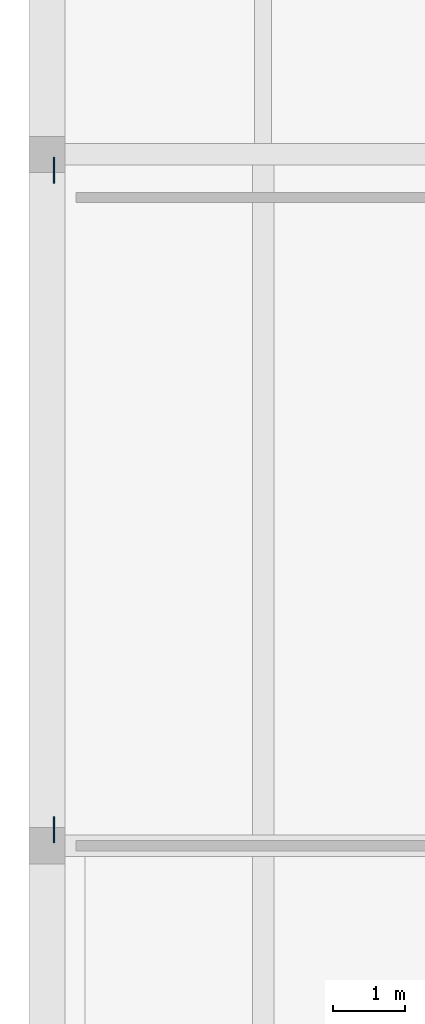
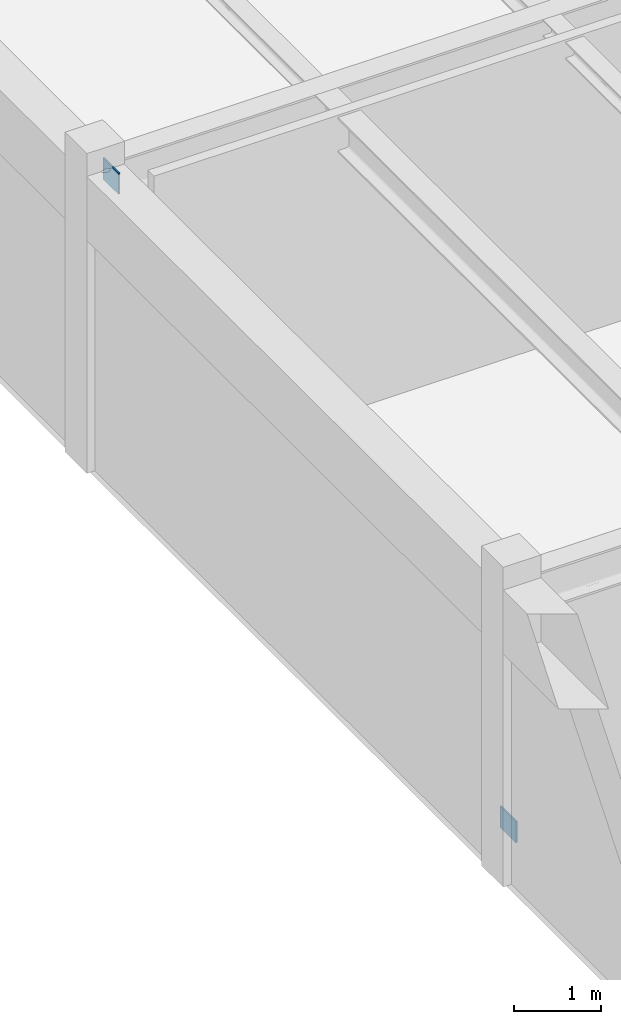
# One storey, part 40 of 64: 2 plates.
"""IFC4 building model written with IfcOpenShell, lengths in metres."""

import ifcopenshell
import ifcopenshell.guid

model = None  # the IFC model being written
_history = None  # IfcOwnerHistory: only IFC2X3 demands one
_inside = {}  # id of a spatial element -> (the spatial element, [elements in it])
_under = {}  # id of a project, library or spatial element -> (it, [spatial elements below it])
_declared = {}  # id of a project -> (the project, [libraries it declares])
_typed = {}  # id of a type object -> (the type object, [elements of that type])
_made_of = {}  # id of a material, layer set ... -> (it, [elements and type objects made of it])


def new_model(schema):
    """Start an empty IFC model of exactly this schema.

    Asked for "IFC4X3", IfcOpenShell would pick the latest addendum, in which some entities
    have other attributes; the version numbers below select the first issue.
    IFC2X3 requires an IfcOwnerHistory on every rooted entity: one is made here for all.
    """
    global model, _history
    if schema == "IFC4X3":
        model = ifcopenshell.file(schema_version=(4, 3, 0, 0))
    else:
        model = ifcopenshell.file(schema=schema)
    _inside.clear()
    _under.clear()
    _declared.clear()
    _typed.clear()
    _made_of.clear()
    _history = None
    if model.schema == "IFC2X3":
        org = make("IfcOrganization", Name="unknown")
        user = make(
            "IfcPersonAndOrganization",
            ThePerson=make("IfcPerson", FamilyName="unknown"),
            TheOrganization=org,
        )
        app = make(
            "IfcApplication",
            ApplicationDeveloper=org,
            Version="unknown",
            ApplicationFullName="unknown",
            ApplicationIdentifier="unknown",
        )
        _history = make(
            "IfcOwnerHistory",
            OwningUser=user,
            OwningApplication=app,
            ChangeAction="ADDED",
            CreationDate=0,
        )
    return model


def make(cls, **values):
    """One entity of the class cls with the attributes given. An attribute that is None is left unset."""
    return model.create_entity(
        cls, **{name: value for name, value in values.items() if value is not None}
    )


def rooted(cls, **values):
    """An entity with a GlobalId (a new one), such as an element, a storey or a relation."""
    return make(cls, GlobalId=ifcopenshell.guid.new(), OwnerHistory=_history, **values)


def si_unit(unit_type, name, prefix=None):
    """IfcSIUnit, for example si_unit("LENGTHUNIT", "METRE", prefix="MILLI")."""
    return make("IfcSIUnit", UnitType=unit_type, Prefix=prefix, Name=name)


def assignment(units):
    """IfcUnitAssignment: the units of a project."""
    return None if units is None else make("IfcUnitAssignment", Units=units)


def point(xyz):
    """IfcCartesianPoint."""
    return None if xyz is None else make("IfcCartesianPoint", Coordinates=xyz)


def direction(xyz):
    """IfcDirection."""
    return None if xyz is None else make("IfcDirection", DirectionRatios=xyz)


def frame(location, z_axis=None, x_axis=None):
    """IfcAxis2Placement3D, a coordinate frame: its origin and axes. An axis left out is left unset."""
    return make(
        "IfcAxis2Placement3D",
        Location=point(location),
        Axis=direction(z_axis),
        RefDirection=direction(x_axis),
    )


def frame_2d(location, x_axis=None):
    """IfcAxis2Placement2D, a coordinate frame in the plane: its origin and x axis."""
    return make(
        "IfcAxis2Placement2D", Location=point(location), RefDirection=direction(x_axis)
    )


def origin():
    """The frame at (0, 0, 0) with its axes left unset."""
    return frame((0.0, 0.0, 0.0))


def origin_2d():
    """The frame at (0, 0) in the plane with its x axis left unset."""
    return frame_2d((0.0, 0.0))


def place(relative_to, where):
    """IfcLocalPlacement: puts the frame where relative to a parent placement (None: the world)."""
    return make(
        "IfcLocalPlacement", PlacementRelTo=relative_to, RelativePlacement=where
    )


def context(
    kind, dimensions, precision=None, world=None, true_north=None, identifier=None
):
    """IfcGeometricRepresentationContext, for example the 3D "Model" context."""
    return make(
        "IfcGeometricRepresentationContext",
        ContextIdentifier=identifier,
        ContextType=kind,
        CoordinateSpaceDimension=dimensions,
        Precision=precision,
        WorldCoordinateSystem=world,
        TrueNorth=true_north,
    )


def subcontext(parent, identifier, kind, view, scale=None):
    """IfcGeometricRepresentationSubContext, for example "Body" below "Model"."""
    return make(
        "IfcGeometricRepresentationSubContext",
        ContextIdentifier=identifier,
        ContextType=kind,
        ParentContext=parent,
        TargetScale=scale,
        TargetView=view,
    )


def project(units=None, contexts=None):
    """IfcProject with its units and contexts."""
    return rooted(
        "IfcProject",
        Name="project",
        RepresentationContexts=contexts,
        UnitsInContext=assignment(units),
    )


def spatial(cls, under=None, at=None, **own):
    """A site, building, storey or space (cls), placed at a placement, below another one or the project."""
    s = rooted(cls, ObjectPlacement=at, **own)
    if under is not None:
        _under.setdefault(under.id(), (under, []))[1].append(s)
    return s


def profile(cls, at=None, kind="AREA", **sizes):
    """A parametric profile (cls). Its sizes go by their IFC names, for example OverallWidth=200.0."""
    return make(cls, ProfileType=kind, Position=at, **sizes)


def rectangle(**sizes):
    """IfcRectangleProfileDef."""
    return profile("IfcRectangleProfileDef", **sizes)


def extrude(swept, where, along, depth):
    """IfcExtrudedAreaSolid: the profile swept, set in the frame where, extruded along a direction by depth."""
    return make(
        "IfcExtrudedAreaSolid",
        SweptArea=swept,
        Position=where,
        ExtrudedDirection=direction(along),
        Depth=depth,
    )


def shape(context_of_items, identifier, shape_type, items):
    """IfcShapeRepresentation: the items that make up one representation, for example the "Body"."""
    return make(
        "IfcShapeRepresentation",
        ContextOfItems=context_of_items,
        RepresentationIdentifier=identifier,
        RepresentationType=shape_type,
        Items=items,
    )


def material(Name=None, Category=None):
    """IfcMaterial."""
    return make("IfcMaterial", Name=Name, Category=Category)


def layer(
    of_material, thickness, ventilated=None, Name=None, Category=None, Priority=None
):
    """IfcMaterialLayer: one layer of a wall or slab, of a material (None: an air gap)."""
    return make(
        "IfcMaterialLayer",
        Material=of_material,
        LayerThickness=thickness,
        IsVentilated=ventilated,
        Name=Name,
        Category=Category,
        Priority=Priority,
    )


def layer_set(layers, Name=None):
    """IfcMaterialLayerSet."""
    return make("IfcMaterialLayerSet", MaterialLayers=layers, LayerSetName=Name)


def made_of(thing, what):
    """Note that an element or type object is made of a material, layer set ...; save() writes the relation."""
    if what is not None:
        _made_of.setdefault(what.id(), (what, []))[1].append(thing)
    return thing


def type_object(cls, material=None, **own):
    """A type object (cls), such as IfcWallType, which elements share."""
    return made_of(rooted(cls, **own), material)


def element(
    cls,
    number,
    at=None,
    inside=None,
    cuts=None,
    type_object=None,
    material=None,
    context=None,
    identifier="Body",
    shape_type=None,
    held_by="IfcProductDefinitionShape",
    body=None,
    shapes=None,
    **own,
):
    """One element of the class cls, such as IfcWall. Its Tag is "e" and its number.

    at: its placement. inside: the storey or other place that contains it. cuts: it is an
    opening in that element (IfcRelVoidsElement). A single representation is given by context,
    identifier, shape_type and body (its items); several are given by shapes. held_by: the class
    of the entity that holds the representations. save() writes the other relations.
    """
    e = rooted(cls, Tag="e%d" % number, ObjectPlacement=at, **own)
    if body is not None:
        shapes = [shape(context, identifier, shape_type, body)]
    if shapes is not None:
        e.Representation = make(held_by, Representations=shapes)
    if inside is not None:
        _inside.setdefault(inside.id(), (inside, []))[1].append(e)
    if cuts is not None:
        rooted(
            "IfcRelVoidsElement", RelatingBuildingElement=cuts, RelatedOpeningElement=e
        )
    if type_object is not None:
        _typed.setdefault(type_object.id(), (type_object, []))[1].append(e)
    return made_of(e, material)


def aggregate(whole, parts):
    """IfcRelAggregates: a whole, such as a stair, and the parts it consists of."""
    return rooted("IfcRelAggregates", RelatingObject=whole, RelatedObjects=parts)


def save(model, path):
    """Write the relations noted so far, then the file.

    IfcRelAggregates (storeys below a building ...), IfcRelContainedInSpatialStructure (elements
    in a storey), IfcRelDefinesByType, IfcRelAssociatesMaterial and IfcRelDeclares: one each for
    every whole, place, type object, material and project.
    """
    for whole, parts in _under.values():
        aggregate(whole, parts)
    for where, things in _inside.values():
        rooted(
            "IfcRelContainedInSpatialStructure",
            RelatedElements=things,
            RelatingStructure=where,
        )
    for kind, things in _typed.values():
        rooted("IfcRelDefinesByType", RelatedObjects=things, RelatingType=kind)
    for what, things in _made_of.values():
        rooted("IfcRelAssociatesMaterial", RelatedObjects=things, RelatingMaterial=what)
    for by, libraries in _declared.values():
        rooted("IfcRelDeclares", RelatingContext=by, RelatedDefinitions=libraries)
    model.write(path)


model = new_model("IFC4")

# Units and contexts
model_context = context("Model", 3, precision=1e-05, world=origin(), true_north=direction((0.0, 1.0)))
body_context = subcontext(model_context, "Body", "Model", "MODEL_VIEW")
ifc_project = project(units=[si_unit("LENGTHUNIT", "METRE"), si_unit("AREAUNIT", "SQUARE_METRE"), si_unit("VOLUMEUNIT", "CUBIC_METRE"), si_unit("PLANEANGLEUNIT", "RADIAN"), si_unit("MASSUNIT", "GRAM", prefix="KILO")], contexts=[model_context])

# Site, building, storey
site_placement = place(None, origin())
site = spatial("IfcSite", under=ifc_project, at=site_placement, CompositionType="ELEMENT")
building_placement = place(site_placement, origin())
building = spatial("IfcBuilding", under=site, at=building_placement, Name="Montealbar Specialist Clinic", CompositionType="ELEMENT")
storey_placement = place(building_placement, frame((0.0, 0.0, 5.10009765625)))
storey = spatial("IfcBuildingStorey", under=building, at=storey_placement, Name="L01", CompositionType="ELEMENT", Elevation=5.10009765625)

# Plates
ifc_material = material(Name="Steel S355", Category="steel")
ifc_layer = layer(ifc_material, 0.02001953125, Name="Steel S355", Category="steel")
ifc_layer_set = layer_set([ifc_layer], Name="Steel S355")
plate_type = type_object("IfcPlateType", Name="PL-GUSSET-20-EXT", PredefinedType="SHEET", material=ifc_layer_set)
for number, where, z_axis, x_axis, name in (
    (1, (0.094970703125, 71.6201171875, 0.330078125), (0.0, 0.0, 1.0), (0.0, 1.0, 0.0), "Lateral brace gusset plate LB-03-B"),
    (2, (0.094970703125, 80.780029296875, 3.89990234375), (0.0, 0.0, 1.0), (0.0, 1.0, 0.0), "Lateral brace gusset plate LB-03-T"),
):
    element("IfcPlate", number, at=place(storey_placement, frame(where, z_axis=z_axis, x_axis=x_axis)), inside=storey, type_object=plate_type, Name=name, PredefinedType="SHEET", context=body_context, shape_type="SweptSolid", body=[
        extrude(rectangle(XDim=0.360107421875, YDim=0.02001953125, at=origin_2d()), origin(), (0.0, 0.0, 1.0), 0.300048828125),
    ])

save(model, "model.ifc")
